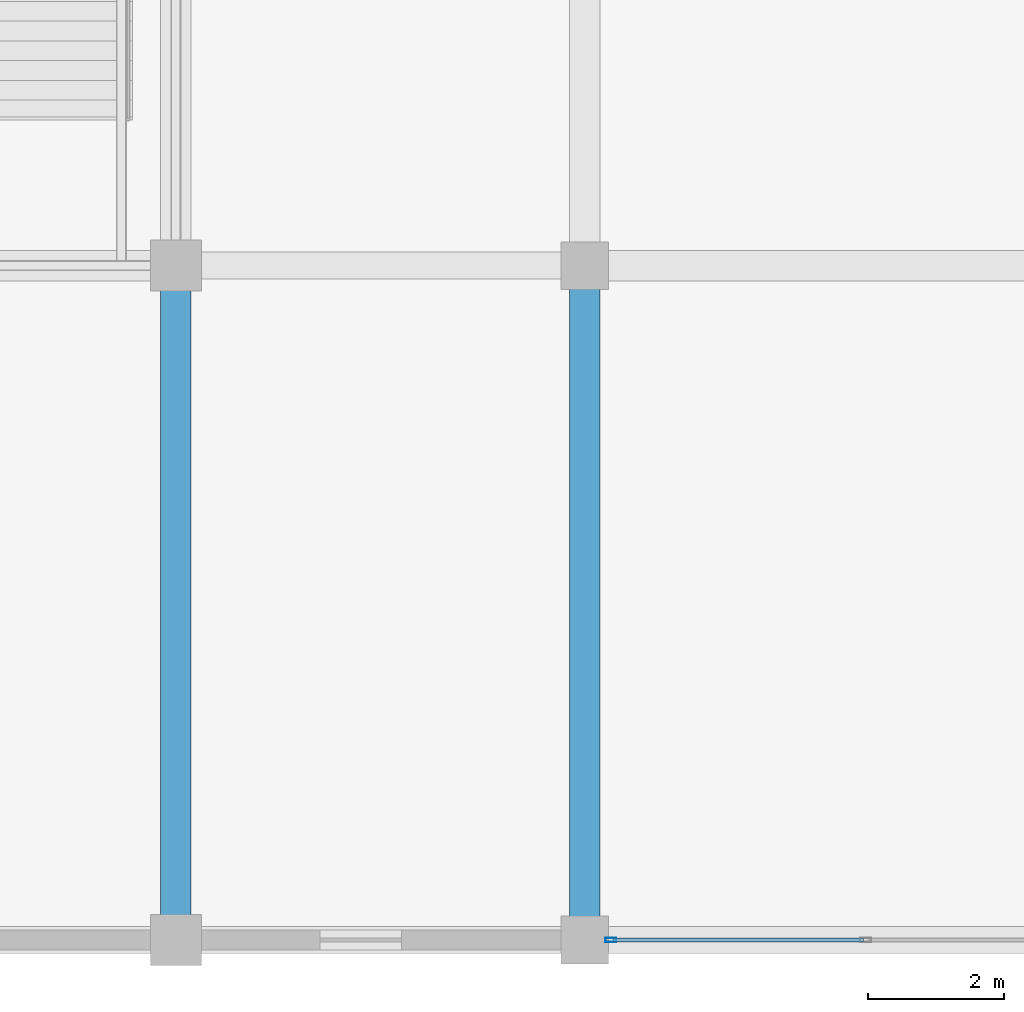
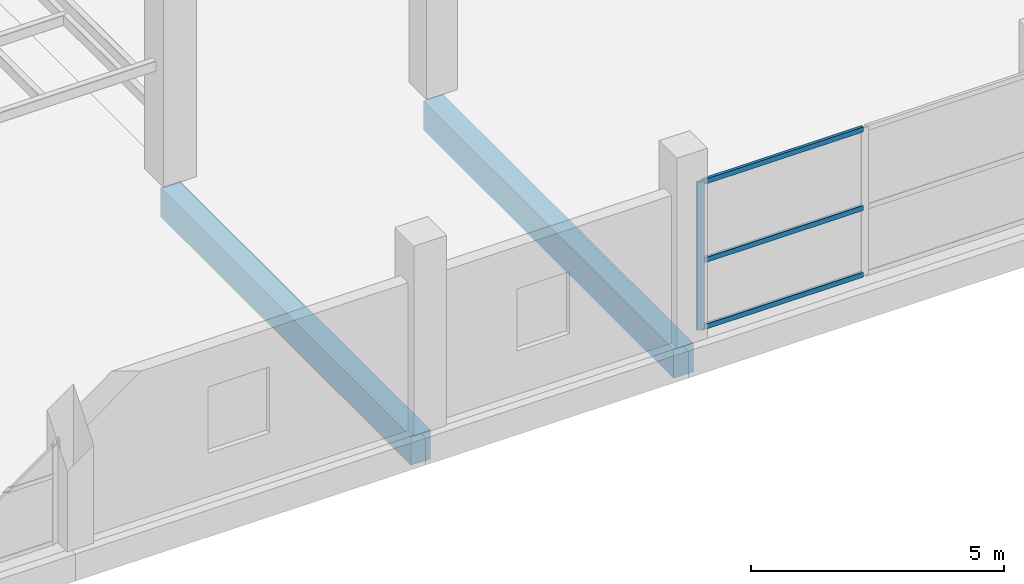
# One storey, part 10 of 58: 4 members, 2 beams, 1 element without a shape of its own.
"""IFC4 building model written with IfcOpenShell, lengths in metres."""

from ifc_helpers import new_model, si_unit, direction, frame, origin, origin_2d, place, context, subcontext, project, spatial, rectangle, hollow_rectangle, extrude, material, layer, layer_set, material_profile, profile_set, type_object, element, aggregate, save


model = new_model("IFC4")

# Units and contexts
model_context = context("Model", 3, precision=1e-05, world=origin(), true_north=direction((0.0, 1.0)))
body_context = subcontext(model_context, "Body", "Model", "MODEL_VIEW")
ifc_project = project(units=[si_unit("LENGTHUNIT", "METRE"), si_unit("AREAUNIT", "SQUARE_METRE"), si_unit("VOLUMEUNIT", "CUBIC_METRE"), si_unit("PLANEANGLEUNIT", "RADIAN"), si_unit("MASSUNIT", "GRAM", prefix="KILO")], contexts=[model_context])

# Site, building, storey
site_placement = place(None, origin())
site = spatial("IfcSite", under=ifc_project, at=site_placement, CompositionType="ELEMENT")
building_placement = place(site_placement, origin())
building = spatial("IfcBuilding", under=site, at=building_placement, Name="Sillaruma Civic Art Gallery", CompositionType="ELEMENT")
storey_placement = place(building_placement, frame((0.0, 0.0, 28.56005859375)))
storey = spatial("IfcBuildingStorey", under=building, at=storey_placement, Name="L05", CompositionType="ELEMENT", Elevation=28.56005859375)

# Beams
ifc_material_1 = material(Name="Concrete H35 (35 MPa)", Category="concrete")
ifc_material_profile_1 = material_profile(ifc_material_1, rectangle(XDim=0.449951171875, YDim=0.699951171875, at=origin_2d()), Name="RCB450x700")
ifc_profile_set_1 = profile_set([ifc_material_profile_1], Name="Concrete H35 (35 MPa)")
beam_type = type_object("IfcBeamType", Name="BM-SPANDREL-RCB450x700", PredefinedType="SPANDREL", material=ifc_profile_set_1)
for number, where, z_axis, x_axis, name in (
    (1, (92.0, 19.800048828125, -0.630126953125), (0.0, 1.0, 0.0), (-1.0, 0.0, 0.0), "Beam BS-03 (L04:K:3-4)"),
    (2, (98.0, 19.800048828125, -0.630126953125), (0.0, 1.0, 0.0), (-1.0, 0.0, 0.0), "Beam BS-03 (L04:L:3-4)"),
):
    element("IfcBeam", number, at=place(storey_placement, frame(where, z_axis=z_axis, x_axis=x_axis)), inside=storey, type_object=beam_type, Name=name, PredefinedType="SPANDREL", context=body_context, shape_type="SweptSolid", body=[
        extrude(rectangle(XDim=0.449951171875, YDim=0.699951171875, at=origin_2d()), origin(), (0.0, 0.0, 1.0), 9.89990234375),
    ])

# Curtain wall, members
ifc_material_2 = material(Name="Thermally Broken Extruded Aluminium 6063-T6", Category="aluminium")
ifc_layer = layer(ifc_material_2, 0.159912109375, Name="Thermally Broken Extruded Aluminium 6063-T6")
ifc_layer_set = layer_set([ifc_layer], Name="Thermally Broken Extruded Aluminium 6063-T6")
curtain_wall_type = type_object("IfcCurtainWallType", Name="CW-UNI-38", PredefinedType="NOTDEFINED", material=ifc_layer_set)
curtain_wall_placement = place(storey_placement, origin())
curtain_wall = element("IfcCurtainWall", 3, at=curtain_wall_placement, inside=storey, type_object=curtain_wall_type, Name="Unitised Curtain Wall CW-38 (CW-L05-S-6)", PredefinedType="NOTDEFINED")
ifc_material_profile_2 = material_profile(ifc_material_2, hollow_rectangle(XDim=0.06494140625, YDim=0.159912109375, WallThickness=0.00390625, at=origin_2d()), Name="CWM65x160")
ifc_profile_set_2 = profile_set([ifc_material_profile_2], Name="Thermally Broken Extruded Aluminium 6063-T6")
member_type_1 = type_object("IfcMemberType", Name="MEM-MUL-CWM65x160", PredefinedType="MULLION", material=ifc_profile_set_2)
member_1_placement = place(storey_placement, frame((98.382568359375, 19.800048828125, 0.0), z_axis=(0.0, 0.0, 1.0), x_axis=(0.0, 1.0, 0.0)))
member_1 = element("IfcMember", 4, at=member_1_placement, type_object=member_type_1, Name="CW-38 mullion 1", PredefinedType="MULLION", context=body_context, shape_type="SweptSolid", body=[
    extrude(hollow_rectangle(XDim=0.06494140625, YDim=0.159912109375, WallThickness=0.00390625, at=origin_2d()), origin(), (0.0, 0.0, 1.0), 3.56982421875),
])
ifc_material_profile_3 = material_profile(ifc_material_2, hollow_rectangle(XDim=0.06494140625, YDim=0.1201171875, WallThickness=0.00341796875, at=origin_2d()), Name="CWT65x120")
ifc_profile_set_3 = profile_set([ifc_material_profile_3], Name="Thermally Broken Extruded Aluminium 6063-T6")
member_type_2 = type_object("IfcMemberType", Name="MEM-TRN-CWT65x120", PredefinedType="USERDEFINED", material=ifc_profile_set_3)
member_2_placement = place(storey_placement, frame((98.4150390625, 19.800048828125, 0.032470703125), z_axis=(1.0, 0.0, 0.0), x_axis=(0.0, 1.0, 0.0)))
member_2 = element("IfcMember", 5, at=member_2_placement, type_object=member_type_2, Name="CW-38 transom 1.1", ObjectType="TRANSOM", PredefinedType="USERDEFINED", context=body_context, shape_type="SweptSolid", body=[
    extrude(hollow_rectangle(XDim=0.06494140625, YDim=0.1201171875, WallThickness=0.00341796875, at=origin_2d()), origin(), (0.0, 0.0, 1.0), 3.677490234375),
])
member_3_placement = place(storey_placement, frame((98.4150390625, 19.800048828125, 1.64208984375), z_axis=(1.0, 0.0, 0.0), x_axis=(0.0, 1.0, 0.0)))
member_3 = element("IfcMember", 6, at=member_3_placement, type_object=member_type_2, Name="CW-38 transom 1.2", ObjectType="TRANSOM", PredefinedType="USERDEFINED", context=body_context, shape_type="SweptSolid", body=[
    extrude(hollow_rectangle(XDim=0.06494140625, YDim=0.1201171875, WallThickness=0.00341796875, at=origin_2d()), origin(), (0.0, 0.0, 1.0), 3.677490234375),
])
member_4_placement = place(storey_placement, frame((98.4150390625, 19.800048828125, 3.537353515625), z_axis=(1.0, 0.0, 0.0), x_axis=(0.0, 1.0, 0.0)))
member_4 = element("IfcMember", 7, at=member_4_placement, type_object=member_type_2, Name="CW-38 transom 1.3", ObjectType="TRANSOM", PredefinedType="USERDEFINED", context=body_context, shape_type="SweptSolid", body=[
    extrude(hollow_rectangle(XDim=0.06494140625, YDim=0.1201171875, WallThickness=0.00341796875, at=origin_2d()), origin(), (0.0, 0.0, 1.0), 3.677490234375),
])
aggregate(curtain_wall, [member_1, member_2, member_3, member_4])

save(model, "model.ifc")
